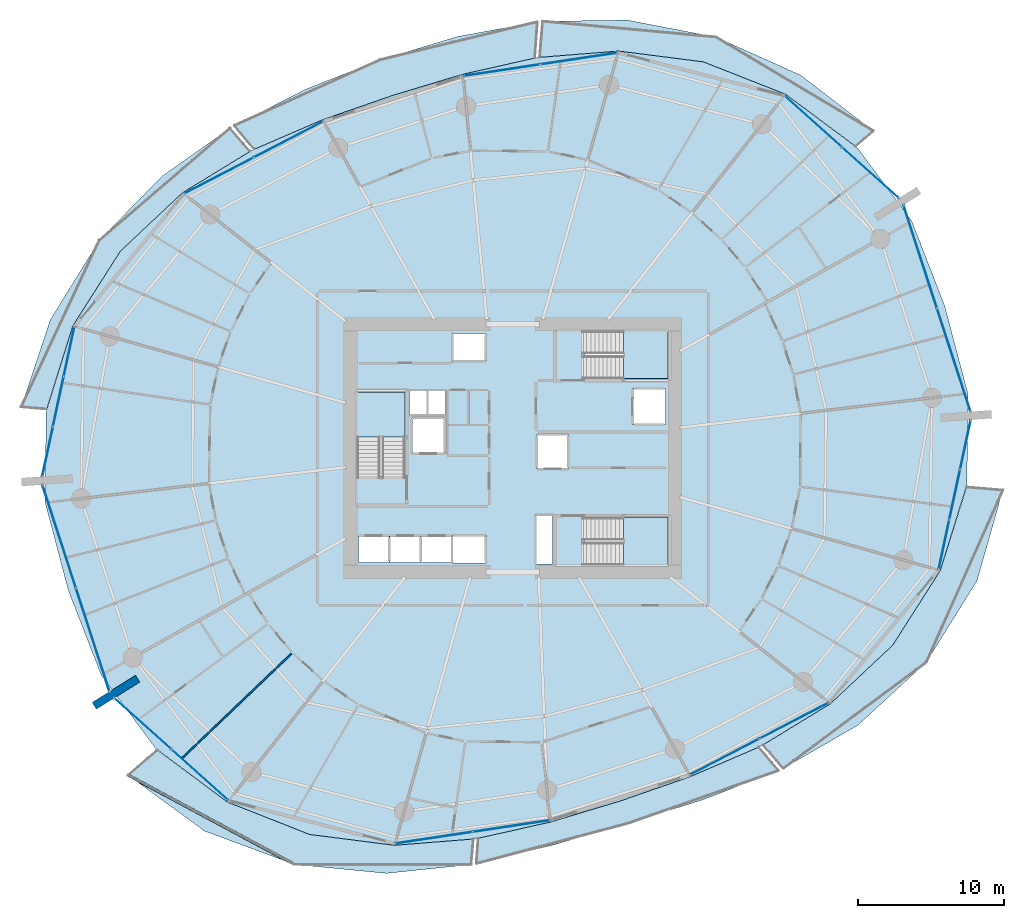
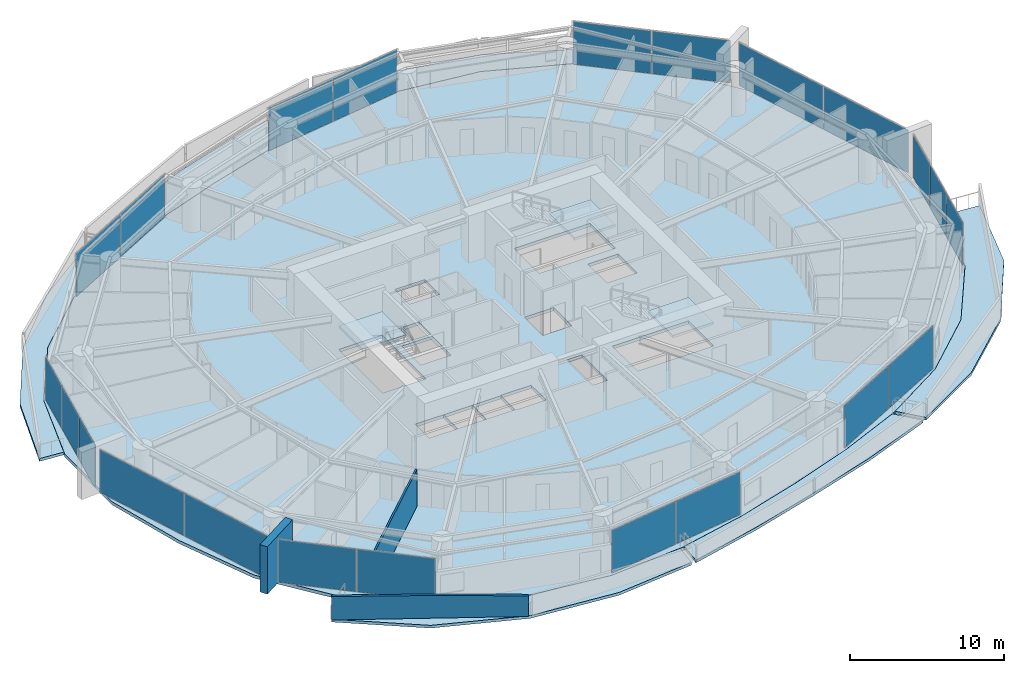
# One storey, part 18 of 31: 22 plates, 10 slabs, 3 walls, 13 elements without a shape of their own.
"""IFC4 building model written with IfcOpenShell, lengths in metres."""

from ifc_helpers import new_model, si_unit, direction, frame, frame_2d, origin, origin_2d, place, context, subcontext, project, spatial, polyline, rectangle, outline, extrude, material, layer, layer_set, type_object, element, aggregate, save


model = new_model("IFC4")

# Units and contexts
model_context = context("Model", 3, precision=1e-05, world=origin(), true_north=direction((0.0, 1.0)))
body_context = subcontext(model_context, "Body", "Model", "MODEL_VIEW")
ifc_project = project(units=[si_unit("LENGTHUNIT", "METRE"), si_unit("AREAUNIT", "SQUARE_METRE"), si_unit("VOLUMEUNIT", "CUBIC_METRE"), si_unit("PLANEANGLEUNIT", "RADIAN"), si_unit("MASSUNIT", "GRAM", prefix="KILO")], contexts=[model_context])

# Site, building, storey
site_placement = place(None, origin())
site = spatial("IfcSite", under=ifc_project, at=site_placement, CompositionType="ELEMENT")
building_placement = place(site_placement, origin())
building = spatial("IfcBuilding", under=site, at=building_placement, Name="Kazma Halo Residences", CompositionType="ELEMENT")
storey_placement = place(building_placement, frame((0.0, 0.0, 30.14990234375)))
storey = spatial("IfcBuildingStorey", under=building, at=storey_placement, Name="L06", CompositionType="ELEMENT", Elevation=30.14990234375)

# Curtain wall, plates
ifc_material_1 = material(Name="Aluminium AW-6063 T6 and Triple-Silver Low-E Glass", Category="aluminium")
ifc_layer_1 = layer(ifc_material_1, 0.159912109375)
ifc_layer_set_1 = layer_set([ifc_layer_1], Name="Aluminium AW-6063 T6 and Triple-Silver Low-E Glass")
curtain_wall_type = type_object("IfcCurtainWallType", Name="CW-SYS-2", PredefinedType="NOTDEFINED", material=ifc_layer_set_1)
curtain_wall_1_placement = place(storey_placement, origin())
curtain_wall_1 = element("IfcCurtainWall", 1, at=curtain_wall_1_placement, inside=storey, type_object=curtain_wall_type, Name="L06 unitised curtain wall B01", PredefinedType="NOTDEFINED")
ifc_material_2 = material(Name="Clear Triple-Silver Low-E Glass IGU", Category="glass")
ifc_layer_2 = layer(ifc_material_2, 0.028076171875)
ifc_layer_set_2 = layer_set([ifc_layer_2], Name="Clear Triple-Silver Low-E Glass IGU")
plate_type = type_object("IfcPlateType", Name="CW-SYS-2-PNL", PredefinedType="CURTAIN_PANEL", material=ifc_layer_set_2)
plate_1_placement = place(storey_placement, frame((72.876953125, 60.841064453125, 0.06005859375), z_axis=(0.0, 0.0, 1.0), x_axis=(-0.744321506993, 0.667821453854, 0.0)))
plate_1 = element("IfcPlate", 2, at=plate_1_placement, type_object=plate_type, Name="CWS-2 panel 1.1", PredefinedType="CURTAIN_PANEL", context=body_context, shape_type="SweptSolid", body=[
    extrude(rectangle(XDim=5.1787109375, YDim=0.028076171875, at=origin_2d()), origin(), (0.0, 0.0, 1.0), 3.3798828125),
])
plate_2_placement = place(storey_placement, frame((68.977783203125, 64.33935546875, 0.06005859375), z_axis=(0.0, 0.0, 1.0), x_axis=(-0.744321506993, 0.667821453854, 0.0)))
plate_2 = element("IfcPlate", 3, at=plate_2_placement, type_object=plate_type, Name="CWS-2 panel 2.1", PredefinedType="CURTAIN_PANEL", context=body_context, shape_type="SweptSolid", body=[
    extrude(rectangle(XDim=5.1787109375, YDim=0.028076171875, at=origin_2d()), origin(), (0.0, 0.0, 1.0), 3.3798828125),
])
aggregate(curtain_wall_1, [plate_1, plate_2])

curtain_wall_2_placement = place(storey_placement, origin())
curtain_wall_2 = element("IfcCurtainWall", 4, at=curtain_wall_2_placement, inside=storey, type_object=curtain_wall_type, Name="L06 unitised curtain wall B03", PredefinedType="NOTDEFINED")
plate_3_placement = place(storey_placement, frame((52.952392578125, 68.64013671875, 0.06005859375), z_axis=(0.0, 0.0, 1.0), x_axis=(-0.988888777994, -0.148657272805, 0.0)))
plate_3 = element("IfcPlate", 5, at=plate_3_placement, type_object=plate_type, Name="CWS-2 panel 1.1", PredefinedType="CURTAIN_PANEL", context=body_context, shape_type="SweptSolid", body=[
    extrude(rectangle(XDim=5.288818359375, YDim=0.028076171875, at=origin_2d()), origin(), (0.0, 0.0, 1.0), 3.3798828125),
])
plate_4_placement = place(storey_placement, frame((47.662841796875, 67.844970703125, 0.06005859375), z_axis=(0.0, 0.0, 1.0), x_axis=(-0.988888777994, -0.148657272805, 0.0)))
plate_4 = element("IfcPlate", 6, at=plate_4_placement, type_object=plate_type, Name="CWS-2 panel 2.1", PredefinedType="CURTAIN_PANEL", context=body_context, shape_type="SweptSolid", body=[
    extrude(rectangle(XDim=5.288818359375, YDim=0.028076171875, at=origin_2d()), origin(), (0.0, 0.0, 1.0), 3.3798828125),
])
aggregate(curtain_wall_2, [plate_3, plate_4])

curtain_wall_3_placement = place(storey_placement, origin())
curtain_wall_3 = element("IfcCurtainWall", 7, at=curtain_wall_3_placement, inside=storey, type_object=curtain_wall_type, Name="L06 unitised curtain wall B05", PredefinedType="NOTDEFINED")
plate_5_placement = place(storey_placement, frame((33.081298828125, 63.107177734375, 0.06005859375), z_axis=(0.0, 0.0, 1.0), x_axis=(-0.887402258584, -0.460995912628, 0.0)))
plate_5 = element("IfcPlate", 8, at=plate_5_placement, type_object=plate_type, Name="CWS-2 panel 1.1", PredefinedType="CURTAIN_PANEL", context=body_context, shape_type="SweptSolid", body=[
    extrude(rectangle(XDim=5.288818359375, YDim=0.028076171875, at=origin_2d()), origin(), (0.0, 0.0, 1.0), 3.3798828125),
])
plate_6_placement = place(storey_placement, frame((28.334716796875, 60.641357421875, 0.06005859375), z_axis=(0.0, 0.0, 1.0), x_axis=(-0.887402258584, -0.460995912628, 0.0)))
plate_6 = element("IfcPlate", 9, at=plate_6_placement, type_object=plate_type, Name="CWS-2 panel 2.1", PredefinedType="CURTAIN_PANEL", context=body_context, shape_type="SweptSolid", body=[
    extrude(rectangle(XDim=5.288818359375, YDim=0.028076171875, at=origin_2d()), origin(), (0.0, 0.0, 1.0), 3.3798828125),
])
aggregate(curtain_wall_3, [plate_5, plate_6])

curtain_wall_4_placement = place(storey_placement, origin())
curtain_wall_4 = element("IfcCurtainWall", 10, at=curtain_wall_4_placement, inside=storey, type_object=curtain_wall_type, Name="L06 unitised curtain wall B07", PredefinedType="NOTDEFINED")
plate_7_placement = place(storey_placement, frame((18.08203125, 48.60107421875, 0.06005859375), z_axis=(0.0, 0.0, 1.0), x_axis=(-0.209637321406, -0.977779215096, 0.0)))
plate_7 = element("IfcPlate", 11, at=plate_7_placement, type_object=plate_type, Name="CWS-2 panel 1.1", PredefinedType="CURTAIN_PANEL", context=body_context, shape_type="SweptSolid", body=[
    extrude(rectangle(XDim=3.42236328125, YDim=0.028076171875, at=origin_2d()), origin(), (0.0, 0.0, 1.0), 3.3798828125),
])
plate_8_placement = place(storey_placement, frame((17.348876953125, 45.181396484375, 0.06005859375), z_axis=(0.0, 0.0, 1.0), x_axis=(-0.209637321406, -0.977779215096, 0.0)))
plate_8 = element("IfcPlate", 12, at=plate_8_placement, type_object=plate_type, Name="CWS-2 panel 2.1", PredefinedType="CURTAIN_PANEL", context=body_context, shape_type="SweptSolid", body=[
    extrude(rectangle(XDim=3.452392578125, YDim=0.028076171875, at=origin_2d()), origin(), (0.0, 0.0, 1.0), 3.3798828125),
])
plate_9_placement = place(storey_placement, frame((16.61572265625, 41.76171875, 0.06005859375), z_axis=(0.0, 0.0, 1.0), x_axis=(-0.209637321406, -0.977779215096, 0.0)))
plate_9 = element("IfcPlate", 13, at=plate_9_placement, type_object=plate_type, Name="CWS-2 panel 3.1", PredefinedType="CURTAIN_PANEL", context=body_context, shape_type="SweptSolid", body=[
    extrude(rectangle(XDim=3.42236328125, YDim=0.028076171875, at=origin_2d()), origin(), (0.0, 0.0, 1.0), 3.3798828125),
])
aggregate(curtain_wall_4, [plate_7, plate_8, plate_9])

curtain_wall_5_placement = place(storey_placement, origin())
curtain_wall_5 = element("IfcCurtainWall", 14, at=curtain_wall_5_placement, inside=storey, type_object=curtain_wall_type, Name="L06 unitised curtain wall B08", PredefinedType="NOTDEFINED")
plate_10_placement = place(storey_placement, frame((17.409912109375, 35.96728515625, 0.06005859375), z_axis=(0.0, 0.0, 1.0), x_axis=(0.309016970539, -0.95105652404, 0.0)))
plate_10 = element("IfcPlate", 15, at=plate_10_placement, type_object=plate_type, Name="CWS-2 panel 1.1", PredefinedType="CURTAIN_PANEL", context=body_context, shape_type="SweptSolid", body=[
    extrude(rectangle(XDim=7.370849609375, YDim=0.028076171875, at=origin_2d()), origin(), (0.0, 0.0, 1.0), 3.3798828125),
])
plate_11_placement = place(storey_placement, frame((19.7060546875, 28.900146484375, 0.06005859375), z_axis=(0.0, 0.0, 1.0), x_axis=(0.309016970539, -0.95105652404, 0.0)))
plate_11 = element("IfcPlate", 16, at=plate_11_placement, type_object=plate_type, Name="CWS-2 panel 2.1", PredefinedType="CURTAIN_PANEL", context=body_context, shape_type="SweptSolid", body=[
    extrude(rectangle(XDim=7.370849609375, YDim=0.028076171875, at=origin_2d()), origin(), (0.0, 0.0, 1.0), 3.3798828125),
])
aggregate(curtain_wall_5, [plate_10, plate_11])

curtain_wall_6_placement = place(storey_placement, origin())
curtain_wall_6 = element("IfcCurtainWall", 17, at=curtain_wall_6_placement, inside=storey, type_object=curtain_wall_type, Name="L06 unitised curtain wall B09", PredefinedType="NOTDEFINED")
plate_12_placement = place(storey_placement, frame((23.123046875, 23.158935546875, 0.06005859375), z_axis=(0.0, 0.0, 1.0), x_axis=(0.744321506993, -0.667821453854, 0.0)))
plate_12 = element("IfcPlate", 18, at=plate_12_placement, type_object=plate_type, Name="CWS-2 panel 1.1", PredefinedType="CURTAIN_PANEL", context=body_context, shape_type="SweptSolid", body=[
    extrude(rectangle(XDim=5.1787109375, YDim=0.028076171875, at=origin_2d()), origin(), (0.0, 0.0, 1.0), 3.3798828125),
])
plate_13_placement = place(storey_placement, frame((27.022216796875, 19.66064453125, 0.06005859375), z_axis=(0.0, 0.0, 1.0), x_axis=(0.744321506993, -0.667821453854, 0.0)))
plate_13 = element("IfcPlate", 19, at=plate_13_placement, type_object=plate_type, Name="CWS-2 panel 2.1", PredefinedType="CURTAIN_PANEL", context=body_context, shape_type="SweptSolid", body=[
    extrude(rectangle(XDim=5.1787109375, YDim=0.028076171875, at=origin_2d()), origin(), (0.0, 0.0, 1.0), 3.3798828125),
])
aggregate(curtain_wall_6, [plate_12, plate_13])

curtain_wall_7_placement = place(storey_placement, origin())
curtain_wall_7 = element("IfcCurtainWall", 20, at=curtain_wall_7_placement, inside=storey, type_object=curtain_wall_type, Name="L06 unitised curtain wall B11", PredefinedType="NOTDEFINED")
plate_14_placement = place(storey_placement, frame((43.047607421875, 15.35986328125, 0.06005859375), z_axis=(0.0, 0.0, 1.0), x_axis=(0.988888777994, 0.148657272805, 0.0)))
plate_14 = element("IfcPlate", 21, at=plate_14_placement, type_object=plate_type, Name="CWS-2 panel 1.1", PredefinedType="CURTAIN_PANEL", context=body_context, shape_type="SweptSolid", body=[
    extrude(rectangle(XDim=5.288818359375, YDim=0.028076171875, at=origin_2d()), origin(), (0.0, 0.0, 1.0), 3.3798828125),
])
plate_15_placement = place(storey_placement, frame((48.337158203125, 16.155029296875, 0.06005859375), z_axis=(0.0, 0.0, 1.0), x_axis=(0.988888777994, 0.148657272805, 0.0)))
plate_15 = element("IfcPlate", 22, at=plate_15_placement, type_object=plate_type, Name="CWS-2 panel 2.1", PredefinedType="CURTAIN_PANEL", context=body_context, shape_type="SweptSolid", body=[
    extrude(rectangle(XDim=5.288818359375, YDim=0.028076171875, at=origin_2d()), origin(), (0.0, 0.0, 1.0), 3.3798828125),
])
aggregate(curtain_wall_7, [plate_14, plate_15])

curtain_wall_8_placement = place(storey_placement, origin())
curtain_wall_8 = element("IfcCurtainWall", 23, at=curtain_wall_8_placement, inside=storey, type_object=curtain_wall_type, Name="L06 unitised curtain wall B13", PredefinedType="NOTDEFINED")
plate_16_placement = place(storey_placement, frame((62.918701171875, 20.892822265625, 0.06005859375), z_axis=(0.0, 0.0, 1.0), x_axis=(0.887402258584, 0.460995912628, 0.0)))
plate_16 = element("IfcPlate", 24, at=plate_16_placement, type_object=plate_type, Name="CWS-2 panel 1.1", PredefinedType="CURTAIN_PANEL", context=body_context, shape_type="SweptSolid", body=[
    extrude(rectangle(XDim=5.288818359375, YDim=0.028076171875, at=origin_2d()), origin(), (0.0, 0.0, 1.0), 3.3798828125),
])
plate_17_placement = place(storey_placement, frame((67.665283203125, 23.358642578125, 0.06005859375), z_axis=(0.0, 0.0, 1.0), x_axis=(0.887402258584, 0.460995912628, 0.0)))
plate_17 = element("IfcPlate", 25, at=plate_17_placement, type_object=plate_type, Name="CWS-2 panel 2.1", PredefinedType="CURTAIN_PANEL", context=body_context, shape_type="SweptSolid", body=[
    extrude(rectangle(XDim=5.288818359375, YDim=0.028076171875, at=origin_2d()), origin(), (0.0, 0.0, 1.0), 3.3798828125),
])
aggregate(curtain_wall_8, [plate_16, plate_17])

curtain_wall_9_placement = place(storey_placement, origin())
curtain_wall_9 = element("IfcCurtainWall", 26, at=curtain_wall_9_placement, inside=storey, type_object=curtain_wall_type, Name="L06 unitised curtain wall B15", PredefinedType="NOTDEFINED")
plate_18_placement = place(storey_placement, frame((77.91796875, 35.39892578125, 0.06005859375), z_axis=(0.0, 0.0, 1.0), x_axis=(0.209637321406, 0.977779215096, 0.0)))
plate_18 = element("IfcPlate", 27, at=plate_18_placement, type_object=plate_type, Name="CWS-2 panel 1.1", PredefinedType="CURTAIN_PANEL", context=body_context, shape_type="SweptSolid", body=[
    extrude(rectangle(XDim=3.42236328125, YDim=0.028076171875, at=origin_2d()), origin(), (0.0, 0.0, 1.0), 3.3798828125),
])
plate_19_placement = place(storey_placement, frame((78.651123046875, 38.818603515625, 0.06005859375), z_axis=(0.0, 0.0, 1.0), x_axis=(0.209637321406, 0.977779215096, 0.0)))
plate_19 = element("IfcPlate", 28, at=plate_19_placement, type_object=plate_type, Name="CWS-2 panel 2.1", PredefinedType="CURTAIN_PANEL", context=body_context, shape_type="SweptSolid", body=[
    extrude(rectangle(XDim=3.452392578125, YDim=0.028076171875, at=origin_2d()), origin(), (0.0, 0.0, 1.0), 3.3798828125),
])
plate_20_placement = place(storey_placement, frame((79.38427734375, 42.23828125, 0.06005859375), z_axis=(0.0, 0.0, 1.0), x_axis=(0.209637321406, 0.977779215096, 0.0)))
plate_20 = element("IfcPlate", 29, at=plate_20_placement, type_object=plate_type, Name="CWS-2 panel 3.1", PredefinedType="CURTAIN_PANEL", context=body_context, shape_type="SweptSolid", body=[
    extrude(rectangle(XDim=3.42236328125, YDim=0.028076171875, at=origin_2d()), origin(), (0.0, 0.0, 1.0), 3.3798828125),
])
aggregate(curtain_wall_9, [plate_18, plate_19, plate_20])

curtain_wall_10_placement = place(storey_placement, origin())
curtain_wall_10 = element("IfcCurtainWall", 30, at=curtain_wall_10_placement, inside=storey, type_object=curtain_wall_type, Name="L06 unitised curtain wall B16", PredefinedType="NOTDEFINED")
plate_21_placement = place(storey_placement, frame((78.590087890625, 48.03271484375, 0.06005859375), z_axis=(0.0, 0.0, 1.0), x_axis=(-0.309016970539, 0.95105652404, 0.0)))
plate_21 = element("IfcPlate", 31, at=plate_21_placement, type_object=plate_type, Name="CWS-2 panel 1.1", PredefinedType="CURTAIN_PANEL", context=body_context, shape_type="SweptSolid", body=[
    extrude(rectangle(XDim=7.370849609375, YDim=0.028076171875, at=origin_2d()), origin(), (0.0, 0.0, 1.0), 3.3798828125),
])
plate_22_placement = place(storey_placement, frame((76.2939453125, 55.099853515625, 0.06005859375), z_axis=(0.0, 0.0, 1.0), x_axis=(-0.309016970539, 0.95105652404, 0.0)))
plate_22 = element("IfcPlate", 32, at=plate_22_placement, type_object=plate_type, Name="CWS-2 panel 2.1", PredefinedType="CURTAIN_PANEL", context=body_context, shape_type="SweptSolid", body=[
    extrude(rectangle(XDim=7.370849609375, YDim=0.028076171875, at=origin_2d()), origin(), (0.0, 0.0, 1.0), 3.3798828125),
])
aggregate(curtain_wall_10, [plate_21, plate_22])

# Slabs
ifc_material_3 = material(Name="White Concrete C50/60", Category="concrete")
ifc_layer_3 = layer(ifc_material_3, 0.219970703125)
ifc_layer_set_3 = layer_set([ifc_layer_3], Name="White Concrete C50/60")
slab_type_1 = type_object("IfcSlabType", Name="SLB-BAL-WAVE-210", PredefinedType="FLOOR", material=ifc_layer_set_3)
slab_1_placement = place(storey_placement, frame((0.0, 0.0, -0.219970703125)))
element("IfcSlab", 33, at=slab_1_placement, inside=storey, type_object=slab_type_1, Name="L06 NE cantilevered wave balcony slab", PredefinedType="FLOOR", context=body_context, shape_type="SweptSolid", body=[
    extrude(outline(polyline([(71.875732421875, 62.645263671875), (67.081298828125, 66.20458984375), (61.461669921875, 68.420166015625), (55.659912109375, 69.15966796875), (50.26806640625, 68.729736328125), (50.47705078125, 71.1923828125), (56.2568359375, 71.276611328125), (62.323974609375, 70.1123046875), (68.112548828125, 67.5126953125), (73.08740234375, 63.693115234375), (71.875732421875, 62.645263671875)])), origin(), (0.0, 0.0, 1.0), 0.219970703125),
])
slab_2_placement = place(storey_placement, frame((0.0, 0.0, -0.219970703125)))
element("IfcSlab", 34, at=slab_2_placement, inside=storey, type_object=slab_type_1, Name="L06 NNW cantilevered wave balcony slab", PredefinedType="FLOOR", context=body_context, shape_type="SweptSolid", body=[
    extrude(outline(polyline([(49.935791015625, 68.679931640625), (44.974365234375, 67.564208984375), (40.165771484375, 66.111083984375), (35.421630859375, 64.460205078125), (30.751708984375, 62.44677734375), (29.387939453125, 64.0634765625), (34.25537109375, 66.54296875), (39.368896484375, 68.5634765625), (44.667724609375, 70.154052734375), (50.115234375, 71.1533203125), (49.935791015625, 68.679931640625)])), origin(), (0.0, 0.0, 1.0), 0.219970703125),
])
slab_3_placement = place(storey_placement, frame((0.0, 0.0, -0.219970703125)))
element("IfcSlab", 35, at=slab_3_placement, inside=storey, type_object=slab_type_1, Name="L06 NW cantilevered wave balcony slab", PredefinedType="FLOOR", context=body_context, shape_type="SweptSolid", body=[
    extrude(outline(polyline([(30.453857421875, 62.29150390625), (25.839111328125, 59.47021484375), (21.579833984375, 55.461669921875), (18.3359375, 50.3662109375), (16.54931640625, 44.668701171875), (14.80810546875, 44.81640625), (16.8076171875, 50.797119140625), (20.138671875, 56.196044921875), (24.41845703125, 60.59033203125), (29.07958984375, 63.881103515625), (30.453857421875, 62.29150390625)])), origin(), (0.0, 0.0, 1.0), 0.219970703125),
])
slab_4_placement = place(storey_placement, frame((0.0, 0.0, -0.219970703125)))
element("IfcSlab", 36, at=slab_4_placement, inside=storey, type_object=slab_type_1, Name="L06 SW cantilevered wave balcony slab", PredefinedType="FLOOR", context=body_context, shape_type="SweptSolid", body=[
    extrude(outline(polyline([(24.124267578125, 21.354736328125), (28.918701171875, 17.79541015625), (34.538330078125, 15.579833984375), (40.340087890625, 14.84033203125), (45.73193359375, 15.270263671875), (45.583984375, 13.52685546875), (39.79833984375, 12.918701171875), (33.49560546875, 13.533203125), (27.352294921875, 15.808349609375), (22.126220703125, 19.626708984375), (24.124267578125, 21.354736328125)])), origin(), (0.0, 0.0, 1.0), 0.219970703125),
])
slab_5_placement = place(storey_placement, frame((0.0, 0.0, -0.219970703125)))
element("IfcSlab", 37, at=slab_5_placement, inside=storey, type_object=slab_type_1, Name="L06 SSE cantilevered wave balcony slab", PredefinedType="FLOOR", context=body_context, shape_type="SweptSolid", body=[
    extrude(outline(polyline([(46.064208984375, 15.320068359375), (51.025634765625, 16.435791015625), (55.834228515625, 17.888916015625), (60.578369140625, 19.539794921875), (65.248291015625, 21.55322265625), (66.599609375, 19.951171875), (61.46240234375, 17.961181640625), (56.333984375, 16.350341796875), (51.21240234375, 14.85888671875), (45.93896484375, 13.593505859375), (46.064208984375, 15.320068359375)])), origin(), (0.0, 0.0, 1.0), 0.219970703125),
])
slab_6_placement = place(storey_placement, frame((0.0, 0.0, -0.219970703125)))
element("IfcSlab", 38, at=slab_6_placement, inside=storey, type_object=slab_type_1, Name="L06 SE cantilevered wave balcony slab", PredefinedType="FLOOR", context=body_context, shape_type="SweptSolid", body=[
    extrude(outline(polyline([(65.546142578125, 21.70849609375), (70.160888671875, 24.52978515625), (74.420166015625, 28.538330078125), (77.6640625, 33.6337890625), (79.45068359375, 39.331298828125), (81.93798828125, 39.120361328125), (80.17431640625, 32.92578125), (76.717529296875, 27.36767578125), (72.035400390625, 23.052001953125), (66.93310546875, 20.1044921875), (65.546142578125, 21.70849609375)])), origin(), (0.0, 0.0, 1.0), 0.219970703125),
])
ifc_material_4 = material(Name="Concrete C50/60", Category="concrete")
ifc_layer_4 = layer(ifc_material_4, 0.25)
ifc_layer_set_4 = layer_set([ifc_layer_4], Name="Concrete C50/60")
slab_type_2 = type_object("IfcSlabType", Name="SLB-RES-250", PredefinedType="FLOOR", material=ifc_layer_set_4)
slab_7_placement = place(storey_placement, frame((0.0, 0.0, -0.25)))
element("IfcSlab", 39, at=slab_7_placement, inside=storey, type_object=slab_type_2, Name="L06 structural floor slab", PredefinedType="FLOOR", context=body_context, shape_type="SweptSolid", body=[
    extrude(outline(polyline([(77.9677734375, 51.737060546875), (75.719970703125, 57.52392578125), (72.02099609375, 62.51611328125), (67.080078125, 66.202880859375), (61.460693359375, 68.418212890625), (55.6591796875, 69.15771484375), (50.102294921875, 68.713134765625), (44.974609375, 67.562255859375), (40.16650390625, 66.109375), (35.422607421875, 64.45849609375), (30.597412109375, 62.375732421875), (25.8408203125, 59.468994140625), (21.581787109375, 55.460693359375), (18.337890625, 50.365478515625), (16.507568359375, 44.478515625), (16.449462890625, 38.265625), (18.0322265625, 32.262939453125), (20.280029296875, 26.47607421875), (23.97900390625, 21.48388671875), (28.919921875, 17.797119140625), (34.539306640625, 15.581787109375), (40.3408203125, 14.84228515625), (45.897705078125, 15.286865234375), (51.025390625, 16.437744140625), (55.83349609375, 17.890625), (60.577392578125, 19.54150390625), (65.402587890625, 21.624267578125), (70.1591796875, 24.531005859375), (74.418212890625, 28.539306640625), (77.662109375, 33.634521484375), (79.492431640625, 39.521484375), (79.550537109375, 45.734375), (77.9677734375, 51.737060546875)]), holes=[polyline([(37.800048828125, 40.110107421875), (41.050048828125, 40.110107421875), (41.050048828125, 45.800048828125), (37.800048828125, 45.800048828125), (37.800048828125, 40.110107421875)]), polyline([(53.360107421875, 46.75), (59.050048828125, 46.75), (59.050048828125, 50.0), (53.360107421875, 50.0), (53.360107421875, 46.75)]), polyline([(53.360107421875, 34.0), (59.050048828125, 34.0), (59.050048828125, 37.25), (53.360107421875, 37.25), (53.360107421875, 34.0)]), polyline([(41.52001953125, 41.6201171875), (43.780029296875, 41.6201171875), (43.780029296875, 44.080078125), (41.52001953125, 44.080078125), (41.52001953125, 41.6201171875)]), polyline([(56.6201171875, 43.6201171875), (58.8798828125, 43.6201171875), (58.8798828125, 46.080078125), (56.6201171875, 46.080078125), (56.6201171875, 43.6201171875)]), polyline([(37.864990234375, 34.195068359375), (39.97509765625, 34.195068359375), (39.97509765625, 36.0048828125), (37.864990234375, 36.0048828125), (37.864990234375, 34.195068359375)]), polyline([(40.014892578125, 34.195068359375), (42.125, 34.195068359375), (42.125, 36.0048828125), (40.014892578125, 36.0048828125), (40.014892578125, 34.195068359375)]), polyline([(42.1650390625, 34.195068359375), (44.27490234375, 34.195068359375), (44.27490234375, 36.0048828125), (42.1650390625, 36.0048828125), (42.1650390625, 34.195068359375)]), polyline([(44.320068359375, 47.945068359375), (46.580078125, 47.945068359375), (46.580078125, 49.85498046875), (44.320068359375, 49.85498046875), (44.320068359375, 47.945068359375)]), polyline([(44.320068359375, 34.14501953125), (46.580078125, 34.14501953125), (46.580078125, 36.054931640625), (44.320068359375, 36.054931640625), (44.320068359375, 34.14501953125)]), polyline([(50.070068359375, 40.570068359375), (52.22998046875, 40.570068359375), (52.22998046875, 42.929931640625), (50.070068359375, 42.929931640625), (50.070068359375, 40.570068359375)]), polyline([(41.360107421875, 44.340087890625), (42.5400390625, 44.340087890625), (42.5400390625, 45.89990234375), (41.360107421875, 45.89990234375), (41.360107421875, 44.340087890625)]), polyline([(42.659912109375, 44.340087890625), (43.840087890625, 44.340087890625), (43.840087890625, 45.89990234375), (42.659912109375, 45.89990234375), (42.659912109375, 44.340087890625)]), polyline([(50.06005859375, 34.080078125), (51.159912109375, 34.080078125), (51.159912109375, 37.3798828125), (50.06005859375, 37.3798828125), (50.06005859375, 34.080078125)])]), origin(), (0.0, 0.0, 1.0), 0.25),
])

# Stair, slab
stair_type = type_object("IfcStairType", Name="STR-RES1", PredefinedType="HALF_TURN_STAIR", material=ifc_material_4)
stair_1_placement = place(storey_placement, origin())
stair_1 = element("IfcStair", 40, at=stair_1_placement, inside=storey, type_object=stair_type, Name="L06 Core exit stair ST-01", PredefinedType="HALF_TURN_STAIR")
ifc_layer_5 = layer(ifc_material_4, 0.199951171875)
ifc_layer_set_5 = layer_set([ifc_layer_5], Name="Concrete C50/60")
slab_type_3 = type_object("IfcSlabType", Name="SLB-STAIR-LND-200", PredefinedType="LANDING", material=ifc_layer_set_5)
slab_8_placement = place(storey_placement, frame((0.0, 0.0, 1.675048828125)))
slab_8 = element("IfcSlab", 41, at=slab_8_placement, type_object=slab_type_3, Name="ST-01 landing 1", PredefinedType="LANDING", context=body_context, shape_type="SweptSolid", body=[
    extrude(outline(polyline([(41.050048828125, 42.75), (41.050048828125, 45.800048828125), (37.800048828125, 45.800048828125), (37.800048828125, 42.75), (41.050048828125, 42.75)])), origin(), (0.0, 0.0, 1.0), 0.199951171875),
])
aggregate(stair_1, [slab_8])

stair_2_placement = place(storey_placement, origin())
stair_2 = element("IfcStair", 42, at=stair_2_placement, inside=storey, type_object=stair_type, Name="L06 Core exit stair ST-02", PredefinedType="HALF_TURN_STAIR")
slab_9_placement = place(storey_placement, frame((0.0, 0.0, 1.675048828125)))
slab_9 = element("IfcSlab", 43, at=slab_9_placement, type_object=slab_type_3, Name="ST-02 landing 1", PredefinedType="LANDING", context=body_context, shape_type="SweptSolid", body=[
    extrude(outline(polyline([(56.0, 46.75), (59.050048828125, 46.75), (59.050048828125, 50.0), (56.0, 50.0), (56.0, 46.75)])), origin(), (0.0, 0.0, 1.0), 0.199951171875),
])
aggregate(stair_2, [slab_9])

stair_3_placement = place(storey_placement, origin())
stair_3 = element("IfcStair", 44, at=stair_3_placement, inside=storey, type_object=stair_type, Name="L06 Core exit stair ST-03", PredefinedType="HALF_TURN_STAIR")
slab_10_placement = place(storey_placement, frame((0.0, 0.0, 1.675048828125)))
slab_10 = element("IfcSlab", 45, at=slab_10_placement, type_object=slab_type_3, Name="ST-03 landing 1", PredefinedType="LANDING", context=body_context, shape_type="SweptSolid", body=[
    extrude(outline(polyline([(56.0, 34.0), (59.050048828125, 34.0), (59.050048828125, 37.25), (56.0, 37.25), (56.0, 34.0)])), origin(), (0.0, 0.0, 1.0), 0.199951171875),
])
aggregate(stair_3, [slab_10])

# Walls
ifc_material_5 = material(Name="White Concrete C50/60 Balustrade", Category="concrete")
ifc_layer_6 = layer(ifc_material_5, 0.179931640625)
ifc_layer_set_6 = layer_set([ifc_layer_6], Name="White Concrete C50/60 Balustrade")
wall_type_1 = type_object("IfcWallType", Name="WL-BAL-WAVE-180", PredefinedType="PARAPET", material=ifc_layer_set_6)
wall_1_placement = place(storey_placement, frame((22.126220703125, 19.626708984375, 0.0), z_axis=(0.0, 0.0, 1.0), x_axis=(0.881385944807, -0.472396884301, 0.0)))
element("IfcWall", 46, at=wall_1_placement, inside=storey, type_object=wall_type_1, Name="L06 white wave balustrade wall SW.1", PredefinedType="PARAPET", context=body_context, shape_type="SweptSolid", body=[
    extrude(outline(polyline([(0.0, 0.0), (12.779296875, 0.0), (12.779296875, 1.632080078125), (6.3896484375, 1.798095703125), (0.0, 1.860107421875), (0.0, 0.0)])), frame((0.0, 0.08984375, 0.0), z_axis=(0.0, -1.0, 0.0), x_axis=(1.0, 0.0, 0.0)), (0.0, 0.0, 1.0), 0.179931640625),
])
ifc_material_6 = material(Name="Pale Concrete C60/75", Category="concrete")
ifc_layer_7 = layer(ifc_material_6, 0.550048828125)
ifc_layer_set_7 = layer_set([ifc_layer_7], Name="Pale Concrete C60/75")
wall_type_2 = type_object("IfcWallType", Name="WL-BLADE-550", PredefinedType="SOLIDWALL", material=ifc_layer_set_7)
wall_2_placement = place(storey_placement, frame((22.770263671875, 26.234619140625, 0.0), z_axis=(0.0, 0.0, 1.0), x_axis=(-0.848053161125, -0.529911158502, 0.0)))
element("IfcWall", 47, at=wall_2_placement, inside=storey, type_object=wall_type_2, Name="L06 pale concrete structural blade fin wall BW-03", PredefinedType="SOLIDWALL", context=body_context, shape_type="SweptSolid", body=[
    extrude(rectangle(XDim=3.5, YDim=0.550048828125, at=frame_2d((1.75, 0.0))), origin(), (0.0, 0.0, 1.0), 3.75),
])
ifc_material_7 = material(Name="Gypsum Plasterboard Partition")
ifc_layer_8 = layer(ifc_material_7, 0.125)
ifc_layer_set_8 = layer_set([ifc_layer_8], Name="Gypsum Plasterboard Partition")
wall_type_3 = type_object("IfcWallType", Name="WL-PART-125", PredefinedType="PARTITIONING", material=ifc_layer_set_8)
wall_3_placement = place(storey_placement, frame((33.291259765625, 27.947021484375, 0.0), z_axis=(0.0, 0.0, 1.0), x_axis=(-0.72304195697, -0.690804117287, 0.0)))
element("IfcWall", 48, at=wall_3_placement, inside=storey, type_object=wall_type_3, Name="L06 Apartment 2 suite divider 8", PredefinedType="PARTITIONING", context=body_context, shape_type="SweptSolid", body=[
    extrude(rectangle(XDim=10.360107421875, YDim=0.125, at=frame_2d((5.18017578125, 0.0))), origin(), (0.0, 0.0, 1.0), 2.940185546875),
])

save(model, "model.ifc")
